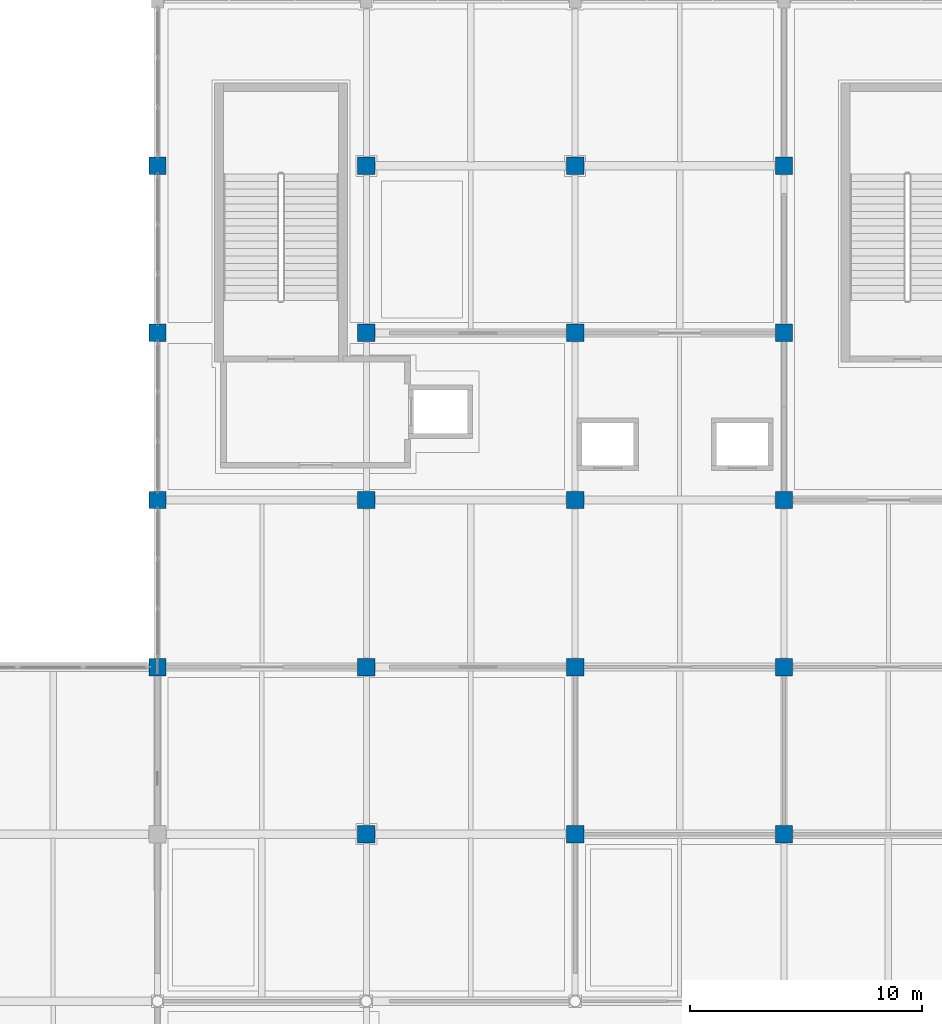
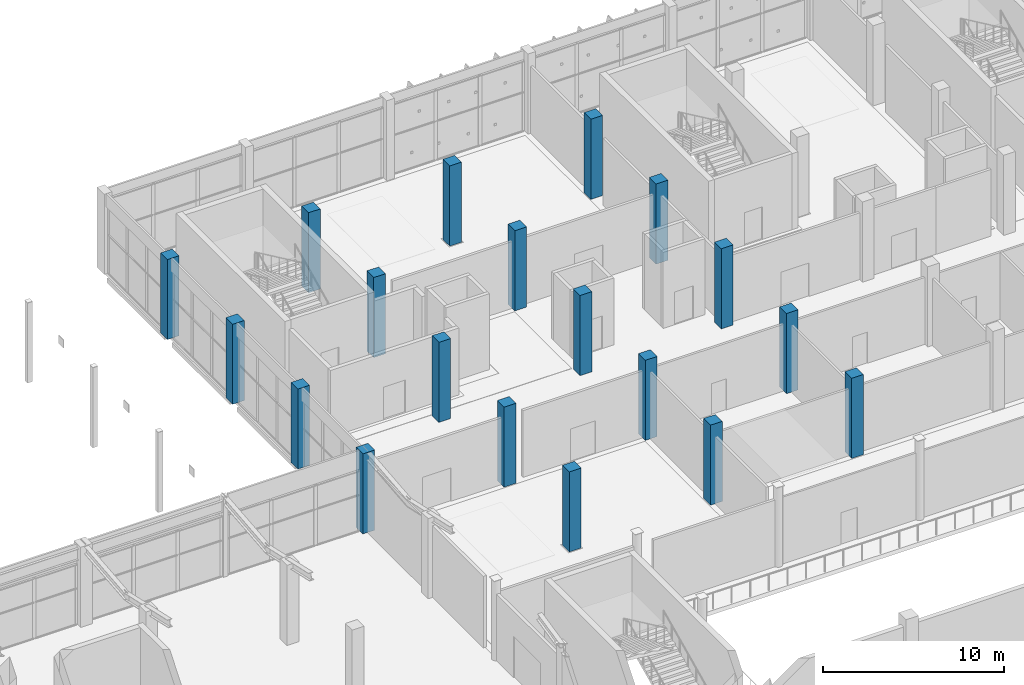
# One storey, part 11 of 189: 19 columns.
"""IFC4 building model written with IfcOpenShell, lengths in metres."""

import ifcopenshell
import ifcopenshell.guid

model = None  # the IFC model being written
_history = None  # IfcOwnerHistory: only IFC2X3 demands one
_inside = {}  # id of a spatial element -> (the spatial element, [elements in it])
_under = {}  # id of a project, library or spatial element -> (it, [spatial elements below it])
_declared = {}  # id of a project -> (the project, [libraries it declares])
_typed = {}  # id of a type object -> (the type object, [elements of that type])
_made_of = {}  # id of a material, layer set ... -> (it, [elements and type objects made of it])


def new_model(schema):
    """Start an empty IFC model of exactly this schema.

    Asked for "IFC4X3", IfcOpenShell would pick the latest addendum, in which some entities
    have other attributes; the version numbers below select the first issue.
    IFC2X3 requires an IfcOwnerHistory on every rooted entity: one is made here for all.
    """
    global model, _history
    if schema == "IFC4X3":
        model = ifcopenshell.file(schema_version=(4, 3, 0, 0))
    else:
        model = ifcopenshell.file(schema=schema)
    _inside.clear()
    _under.clear()
    _declared.clear()
    _typed.clear()
    _made_of.clear()
    _history = None
    if model.schema == "IFC2X3":
        org = make("IfcOrganization", Name="unknown")
        user = make(
            "IfcPersonAndOrganization",
            ThePerson=make("IfcPerson", FamilyName="unknown"),
            TheOrganization=org,
        )
        app = make(
            "IfcApplication",
            ApplicationDeveloper=org,
            Version="unknown",
            ApplicationFullName="unknown",
            ApplicationIdentifier="unknown",
        )
        _history = make(
            "IfcOwnerHistory",
            OwningUser=user,
            OwningApplication=app,
            ChangeAction="ADDED",
            CreationDate=0,
        )
    return model


def make(cls, **values):
    """One entity of the class cls with the attributes given. An attribute that is None is left unset."""
    return model.create_entity(
        cls, **{name: value for name, value in values.items() if value is not None}
    )


def rooted(cls, **values):
    """An entity with a GlobalId (a new one), such as an element, a storey or a relation."""
    return make(cls, GlobalId=ifcopenshell.guid.new(), OwnerHistory=_history, **values)


def si_unit(unit_type, name, prefix=None):
    """IfcSIUnit, for example si_unit("LENGTHUNIT", "METRE", prefix="MILLI")."""
    return make("IfcSIUnit", UnitType=unit_type, Prefix=prefix, Name=name)


def assignment(units):
    """IfcUnitAssignment: the units of a project."""
    return None if units is None else make("IfcUnitAssignment", Units=units)


def point(xyz):
    """IfcCartesianPoint."""
    return None if xyz is None else make("IfcCartesianPoint", Coordinates=xyz)


def direction(xyz):
    """IfcDirection."""
    return None if xyz is None else make("IfcDirection", DirectionRatios=xyz)


def frame(location, z_axis=None, x_axis=None):
    """IfcAxis2Placement3D, a coordinate frame: its origin and axes. An axis left out is left unset."""
    return make(
        "IfcAxis2Placement3D",
        Location=point(location),
        Axis=direction(z_axis),
        RefDirection=direction(x_axis),
    )


def frame_2d(location, x_axis=None):
    """IfcAxis2Placement2D, a coordinate frame in the plane: its origin and x axis."""
    return make(
        "IfcAxis2Placement2D", Location=point(location), RefDirection=direction(x_axis)
    )


def origin():
    """The frame at (0, 0, 0) with its axes left unset."""
    return frame((0.0, 0.0, 0.0))


def origin_2d():
    """The frame at (0, 0) in the plane with its x axis left unset."""
    return frame_2d((0.0, 0.0))


def place(relative_to, where):
    """IfcLocalPlacement: puts the frame where relative to a parent placement (None: the world)."""
    return make(
        "IfcLocalPlacement", PlacementRelTo=relative_to, RelativePlacement=where
    )


def context(
    kind, dimensions, precision=None, world=None, true_north=None, identifier=None
):
    """IfcGeometricRepresentationContext, for example the 3D "Model" context."""
    return make(
        "IfcGeometricRepresentationContext",
        ContextIdentifier=identifier,
        ContextType=kind,
        CoordinateSpaceDimension=dimensions,
        Precision=precision,
        WorldCoordinateSystem=world,
        TrueNorth=true_north,
    )


def subcontext(parent, identifier, kind, view, scale=None):
    """IfcGeometricRepresentationSubContext, for example "Body" below "Model"."""
    return make(
        "IfcGeometricRepresentationSubContext",
        ContextIdentifier=identifier,
        ContextType=kind,
        ParentContext=parent,
        TargetScale=scale,
        TargetView=view,
    )


def project(units=None, contexts=None):
    """IfcProject with its units and contexts."""
    return rooted(
        "IfcProject",
        Name="project",
        RepresentationContexts=contexts,
        UnitsInContext=assignment(units),
    )


def spatial(cls, under=None, at=None, **own):
    """A site, building, storey or space (cls), placed at a placement, below another one or the project."""
    s = rooted(cls, ObjectPlacement=at, **own)
    if under is not None:
        _under.setdefault(under.id(), (under, []))[1].append(s)
    return s


def profile(cls, at=None, kind="AREA", **sizes):
    """A parametric profile (cls). Its sizes go by their IFC names, for example OverallWidth=200.0."""
    return make(cls, ProfileType=kind, Position=at, **sizes)


def rectangle(**sizes):
    """IfcRectangleProfileDef."""
    return profile("IfcRectangleProfileDef", **sizes)


def extrude(swept, where, along, depth):
    """IfcExtrudedAreaSolid: the profile swept, set in the frame where, extruded along a direction by depth."""
    return make(
        "IfcExtrudedAreaSolid",
        SweptArea=swept,
        Position=where,
        ExtrudedDirection=direction(along),
        Depth=depth,
    )


def shape(context_of_items, identifier, shape_type, items):
    """IfcShapeRepresentation: the items that make up one representation, for example the "Body"."""
    return make(
        "IfcShapeRepresentation",
        ContextOfItems=context_of_items,
        RepresentationIdentifier=identifier,
        RepresentationType=shape_type,
        Items=items,
    )


def material(Name=None, Category=None):
    """IfcMaterial."""
    return make("IfcMaterial", Name=Name, Category=Category)


def material_profile(
    of_material, cross_section, Name=None, Category=None, Priority=None
):
    """IfcMaterialProfile: a cross section and its material."""
    return make(
        "IfcMaterialProfile",
        Name=Name,
        Material=of_material,
        Profile=cross_section,
        Priority=Priority,
        Category=Category,
    )


def profile_set(profiles, Name=None, composite=None):
    """IfcMaterialProfileSet."""
    return make(
        "IfcMaterialProfileSet",
        Name=Name,
        MaterialProfiles=profiles,
        CompositeProfile=composite,
    )


def made_of(thing, what):
    """Note that an element or type object is made of a material, layer set ...; save() writes the relation."""
    if what is not None:
        _made_of.setdefault(what.id(), (what, []))[1].append(thing)
    return thing


def type_object(cls, material=None, **own):
    """A type object (cls), such as IfcWallType, which elements share."""
    return made_of(rooted(cls, **own), material)


def element(
    cls,
    number,
    at=None,
    inside=None,
    cuts=None,
    type_object=None,
    material=None,
    context=None,
    identifier="Body",
    shape_type=None,
    held_by="IfcProductDefinitionShape",
    body=None,
    shapes=None,
    **own,
):
    """One element of the class cls, such as IfcWall. Its Tag is "e" and its number.

    at: its placement. inside: the storey or other place that contains it. cuts: it is an
    opening in that element (IfcRelVoidsElement). A single representation is given by context,
    identifier, shape_type and body (its items); several are given by shapes. held_by: the class
    of the entity that holds the representations. save() writes the other relations.
    """
    e = rooted(cls, Tag="e%d" % number, ObjectPlacement=at, **own)
    if body is not None:
        shapes = [shape(context, identifier, shape_type, body)]
    if shapes is not None:
        e.Representation = make(held_by, Representations=shapes)
    if inside is not None:
        _inside.setdefault(inside.id(), (inside, []))[1].append(e)
    if cuts is not None:
        rooted(
            "IfcRelVoidsElement", RelatingBuildingElement=cuts, RelatedOpeningElement=e
        )
    if type_object is not None:
        _typed.setdefault(type_object.id(), (type_object, []))[1].append(e)
    return made_of(e, material)


def aggregate(whole, parts):
    """IfcRelAggregates: a whole, such as a stair, and the parts it consists of."""
    return rooted("IfcRelAggregates", RelatingObject=whole, RelatedObjects=parts)


def save(model, path):
    """Write the relations noted so far, then the file.

    IfcRelAggregates (storeys below a building ...), IfcRelContainedInSpatialStructure (elements
    in a storey), IfcRelDefinesByType, IfcRelAssociatesMaterial and IfcRelDeclares: one each for
    every whole, place, type object, material and project.
    """
    for whole, parts in _under.values():
        aggregate(whole, parts)
    for where, things in _inside.values():
        rooted(
            "IfcRelContainedInSpatialStructure",
            RelatedElements=things,
            RelatingStructure=where,
        )
    for kind, things in _typed.values():
        rooted("IfcRelDefinesByType", RelatedObjects=things, RelatingType=kind)
    for what, things in _made_of.values():
        rooted("IfcRelAssociatesMaterial", RelatedObjects=things, RelatingMaterial=what)
    for by, libraries in _declared.values():
        rooted("IfcRelDeclares", RelatingContext=by, RelatedDefinitions=libraries)
    model.write(path)


model = new_model("IFC4")

# Units and contexts
model_context = context("Model", 3, precision=1e-05, world=origin(), true_north=direction((0.0, 1.0)))
body_context = subcontext(model_context, "Body", "Model", "MODEL_VIEW")
ifc_project = project(units=[si_unit("LENGTHUNIT", "METRE"), si_unit("AREAUNIT", "SQUARE_METRE"), si_unit("VOLUMEUNIT", "CUBIC_METRE"), si_unit("PLANEANGLEUNIT", "RADIAN"), si_unit("MASSUNIT", "GRAM", prefix="KILO")], contexts=[model_context])

# Site, building, storey
site_placement = place(None, origin())
site = spatial("IfcSite", under=ifc_project, at=site_placement, CompositionType="ELEMENT")
building_placement = place(site_placement, origin())
building = spatial("IfcBuilding", under=site, at=building_placement, Name="Celestram Park Convention Centre", CompositionType="ELEMENT")
storey_placement = place(building_placement, frame((0.0, 0.0, 5.39990234375)))
storey = spatial("IfcBuildingStorey", under=building, at=storey_placement, Name="L01", CompositionType="ELEMENT", Elevation=5.39990234375)

# Columns
ifc_material = material(Name="Concrete C40/50", Category="concrete")
ifc_material_profile = material_profile(ifc_material, rectangle(XDim=0.75, YDim=0.75, at=origin_2d()), Name="RC750X750")
ifc_profile_set = profile_set([ifc_material_profile], Name="Concrete C40/50")
column_type = type_object("IfcColumnType", Name="STR-COL-RC750", PredefinedType="COLUMN", material=ifc_profile_set)
for number, where, z_axis, x_axis, name in (
    (1, (36.0, 136.800048828125, 0.0), (0.0, 0.0, 1.0), (1.0, 0.0, 0.0), "Column CN-L01-045"),
    (2, (36.0, 144.0, 0.0), (0.0, 0.0, 1.0), (1.0, 0.0, 0.0), "Column CN-L01-046"),
    (3, (36.0, 151.199951171875, 0.0), (0.0, 0.0, 1.0), (1.0, 0.0, 0.0), "Column CN-L01-047"),
    (4, (36.0, 158.39990234375, 0.0), (0.0, 0.0, 1.0), (1.0, 0.0, 0.0), "Column CN-L01-048"),
    (5, (45.0, 129.60009765625, 0.0), (0.0, 0.0, 1.0), (1.0, 0.0, 0.0), "Column CN-L01-054"),
    (6, (45.0, 136.800048828125, 0.0), (0.0, 0.0, 1.0), (1.0, 0.0, 0.0), "Column CN-L01-055"),
    (7, (45.0, 144.0, 0.0), (0.0, 0.0, 1.0), (1.0, 0.0, 0.0), "Column CN-L01-056"),
    (8, (45.0, 151.199951171875, 0.0), (0.0, 0.0, 1.0), (1.0, 0.0, 0.0), "Column CN-L01-057"),
    (9, (45.0, 158.39990234375, 0.0), (0.0, 0.0, 1.0), (1.0, 0.0, 0.0), "Column CN-L01-058"),
    (10, (54.0, 129.60009765625, 0.0), (0.0, 0.0, 1.0), (1.0, 0.0, 0.0), "Column CN-L01-063"),
    (11, (54.0, 136.800048828125, 0.0), (0.0, 0.0, 1.0), (1.0, 0.0, 0.0), "Column CN-L01-064"),
    (12, (54.0, 144.0, 0.0), (0.0, 0.0, 1.0), (1.0, 0.0, 0.0), "Column CN-L01-065"),
    (13, (54.0, 151.199951171875, 0.0), (0.0, 0.0, 1.0), (1.0, 0.0, 0.0), "Column CN-L01-066"),
    (14, (54.0, 158.39990234375, 0.0), (0.0, 0.0, 1.0), (1.0, 0.0, 0.0), "Column CN-L01-067"),
    (15, (63.0, 129.60009765625, 0.0), (0.0, 0.0, 1.0), (1.0, 0.0, 0.0), "Column CN-L01-072"),
    (16, (63.0, 136.800048828125, 0.0), (0.0, 0.0, 1.0), (1.0, 0.0, 0.0), "Column CN-L01-073"),
    (17, (63.0, 144.0, 0.0), (0.0, 0.0, 1.0), (1.0, 0.0, 0.0), "Column CN-L01-074"),
    (18, (63.0, 151.199951171875, 0.0), (0.0, 0.0, 1.0), (1.0, 0.0, 0.0), "Column CN-L01-075"),
    (19, (63.0, 158.39990234375, 0.0), (0.0, 0.0, 1.0), (1.0, 0.0, 0.0), "Column CN-L01-076"),
):
    element("IfcColumn", number, at=place(storey_placement, frame(where, z_axis=z_axis, x_axis=x_axis)), inside=storey, type_object=column_type, Name=name, PredefinedType="COLUMN", context=body_context, shape_type="SweptSolid", body=[
        extrude(rectangle(XDim=0.75, YDim=0.75, at=origin_2d()), origin(), (0.0, 0.0, 1.0), 5.400146484375),
    ])

save(model, "model.ifc")
